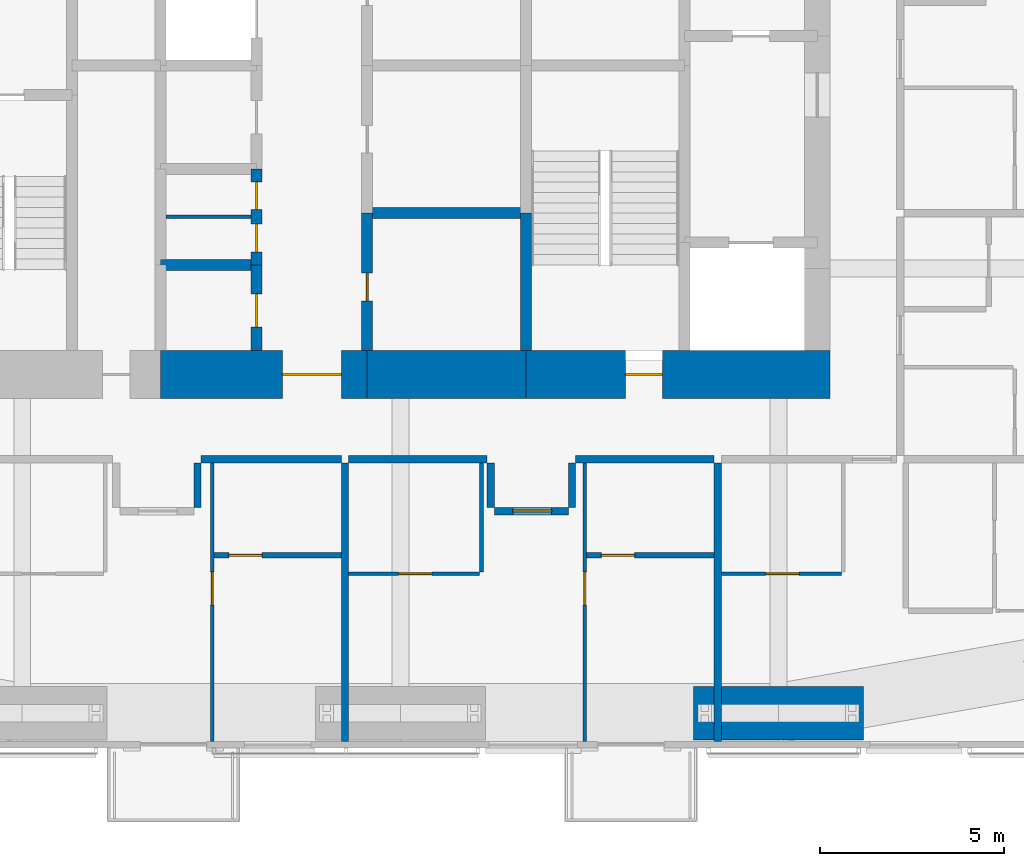
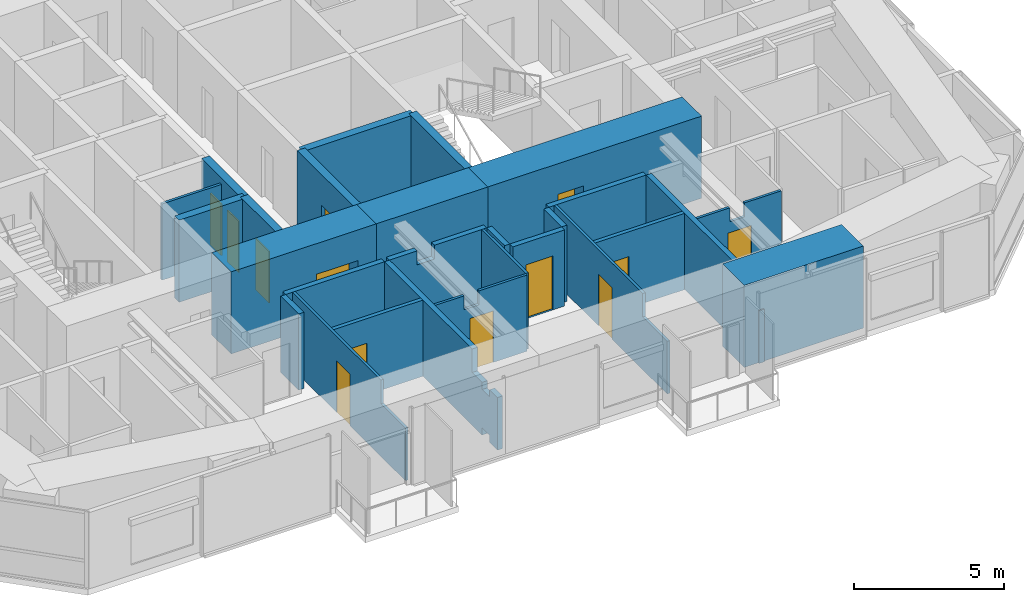
# One storey, part 16 of 22: 27 walls, 13 doors, 13 openings.
"""IFC4 building model written with IfcOpenShell, lengths in metres."""

from ifc_helpers import new_model, si_unit, direction, frame, frame_2d, origin, place, context, subcontext, project, spatial, polyline, rectangle, outline, extrude, material, layer, layer_set, constituent, constituent_set, type_object, element, fill, save


model = new_model("IFC4")

# Units and contexts
model_context = context("Model", 3, precision=1e-05, world=origin(), true_north=direction((0.0, 1.0)))
body_context = subcontext(model_context, "Body", "Model", "MODEL_VIEW")
ifc_project = project(units=[si_unit("LENGTHUNIT", "METRE"), si_unit("AREAUNIT", "SQUARE_METRE"), si_unit("VOLUMEUNIT", "CUBIC_METRE"), si_unit("PLANEANGLEUNIT", "RADIAN"), si_unit("MASSUNIT", "GRAM", prefix="KILO")], contexts=[model_context])

# Site, building, storey
site_placement = place(None, origin())
site = spatial("IfcSite", under=ifc_project, at=site_placement, CompositionType="ELEMENT")
building_placement = place(site_placement, origin())
building = spatial("IfcBuilding", under=site, at=building_placement, Name="Jalousie Tower", CompositionType="ELEMENT")
storey_placement = place(building_placement, frame((0.0, 0.0, 161.050048828125)))
storey = spatial("IfcBuildingStorey", under=building, at=storey_placement, Name="L43", CompositionType="ELEMENT", Elevation=161.050048828125)

# Wall, opening, door
ifc_material_1 = material(Name="Concrete block ASTM C90", Category="concrete")
ifc_constituent_1 = constituent(ifc_material_1, Name="Body")
ifc_material_2 = material(Name="Render")
ifc_constituent_2 = constituent(ifc_material_2, Name="Finish")
ifc_constituent_set_1 = constituent_set(constituents=[ifc_constituent_1, ifc_constituent_2])
wall_type_1 = type_object("IfcWallType", Name="BATHROOM WALL 150", PredefinedType="PLUMBINGWALL", material=ifc_constituent_set_1)
wall_1_placement = place(storey_placement, frame((27.449951171875, 5.22509765625, 0.0), z_axis=(0.0, 0.0, 1.0), x_axis=(1.0, 0.0, 0.0)))
wall_1 = element("IfcWall", 1, at=wall_1_placement, inside=storey, type_object=wall_type_1, Name="Bathroom Wall 150 L43", PredefinedType="PLUMBINGWALL", context=body_context, shape_type="SweptSolid", body=[
    extrude(rectangle(XDim=3.449951171875, YDim=0.14990234375, at=frame_2d((1.72509765625, 0.0))), origin(), (0.0, 0.0, 1.0), 3.10986328125),
])
opening_1_placement = place(wall_1_placement, frame((0.39990234375, 0.0, 0.0)))
opening_1 = element("IfcOpeningElement", 2, at=opening_1_placement, cuts=wall_1, Name="Opening D3", PredefinedType="OPENING", context=body_context, shape_type="SweptSolid", body=[
    extrude(rectangle(XDim=0.89990234375, YDim=2.10009765625, at=frame_2d((0.449951171875, 1.050048828125))), frame((0.0, 0.0849609375, 0.0), z_axis=(0.0, -1.0, 0.0), x_axis=(1.0, 0.0, 0.0)), (0.0, 0.0, 1.0), 0.169921875),
])
ifc_material_3 = material(Name="Timber door", Category="wood")
door_type_1 = type_object("IfcDoorType", Name="BATHROOM DOOR 900", OperationType="SINGLE_SWING_LEFT", PredefinedType="DOOR", material=ifc_material_3)
door_1_placement = place(opening_1_placement, origin())
door_1 = element("IfcDoor", 3, at=door_1_placement, inside=storey, type_object=door_type_1, Name="Apartment 4302 bedroom 1 bathroom door", OperationType="SINGLE_SWING_LEFT", OverallHeight=2.10009765625, OverallWidth=0.89990234375, PredefinedType="DOOR", context=body_context, shape_type="SweptSolid", body=[
    extrude(rectangle(XDim=0.89990234375, YDim=2.10009765625, at=frame_2d((0.449951171875, 1.050048828125))), frame((0.0, 0.02490234375, 0.0), z_axis=(0.0, -1.0, 0.0), x_axis=(1.0, 0.0, 0.0)), (0.0, 0.0, 1.0), 0.050048828125),
])
fill(opening_1, door_1)

wall_2_placement = place(storey_placement, frame((37.550048828125, 5.22509765625, 0.0), z_axis=(0.0, 0.0, 1.0), x_axis=(1.0, 0.0, 0.0)))
wall_2 = element("IfcWall", 4, at=wall_2_placement, inside=storey, type_object=wall_type_1, Name="Bathroom Wall 150 L43", PredefinedType="PLUMBINGWALL", context=body_context, shape_type="SweptSolid", body=[
    extrude(rectangle(XDim=3.449951171875, YDim=0.14990234375, at=frame_2d((1.72509765625, 0.0))), origin(), (0.0, 0.0, 1.0), 3.10986328125),
])
opening_2_placement = place(wall_2_placement, frame((0.39990234375, 0.0, 0.0)))
opening_2 = element("IfcOpeningElement", 5, at=opening_2_placement, cuts=wall_2, Name="Opening D3", PredefinedType="OPENING", context=body_context, shape_type="SweptSolid", body=[
    extrude(rectangle(XDim=0.89990234375, YDim=2.10009765625, at=frame_2d((0.449951171875, 1.050048828125))), frame((0.0, 0.0849609375, 0.0), z_axis=(0.0, -1.0, 0.0), x_axis=(1.0, 0.0, 0.0)), (0.0, 0.0, 1.0), 0.169921875),
])
door_2_placement = place(opening_2_placement, origin())
door_2 = element("IfcDoor", 6, at=door_2_placement, inside=storey, type_object=door_type_1, Name="Apartment 4303 bedroom 1 bathroom door", OperationType="SINGLE_SWING_LEFT", OverallHeight=2.10009765625, OverallWidth=0.89990234375, PredefinedType="DOOR", context=body_context, shape_type="SweptSolid", body=[
    extrude(rectangle(XDim=0.89990234375, YDim=2.10009765625, at=frame_2d((0.449951171875, 1.050048828125))), frame((0.0, 0.02490234375, 0.0), z_axis=(0.0, -1.0, 0.0), x_axis=(1.0, 0.0, 0.0)), (0.0, 0.0, 1.0), 0.050048828125),
])
fill(opening_2, door_2)

ifc_material_4 = material(Name="Concrete f'c 120 MPa", Category="concrete")
ifc_layer_1 = layer(ifc_material_4, 1.300048828125)
ifc_layer_set_1 = layer_set([ifc_layer_1], Name="Concrete f'c 120 MPa")
wall_type_2 = type_object("IfcWallType", Name="CORE WALL 1300", PredefinedType="SHEAR", material=ifc_layer_set_1)
wall_3_placement = place(storey_placement, frame((26.0, 10.125, 0.0), z_axis=(0.0, 0.0, 1.0), x_axis=(1.0, 0.0, 0.0)))
wall_3 = element("IfcWall", 7, at=wall_3_placement, inside=storey, type_object=wall_type_2, Name="Core wall SB L43", PredefinedType="SHEAR", context=body_context, shape_type="SweptSolid", body=[
    extrude(rectangle(XDim=5.60009765625, YDim=1.300048828125, at=frame_2d((2.800048828125, 0.0))), origin(), (0.0, 0.0, 1.0), 3.349853515625),
])
opening_3_placement = place(wall_3_placement, frame((3.300048828125, 0.0, 0.0)))
opening_3 = element("IfcOpeningElement", 8, at=opening_3_placement, cuts=wall_3, Name="Opening D15", PredefinedType="OPENING", context=body_context, shape_type="SweptSolid", body=[
    extrude(rectangle(XDim=1.60009765625, YDim=2.10009765625, at=frame_2d((0.800048828125, 1.050048828125))), frame((0.0, 0.659912109375, 0.0), z_axis=(0.0, -1.0, 0.0), x_axis=(1.0, 0.0, 0.0)), (0.0, 0.0, 1.0), 1.320068359375),
])
ifc_material_5 = material(Name="Steel fire door", Category="steel")
door_type_2 = type_object("IfcDoorType", Name="LIFT LOBBY DOOR 1600", OperationType="DOUBLE_DOOR_SINGLE_SWING", PredefinedType="DOOR", material=ifc_material_5)
door_3_placement = place(opening_3_placement, origin())
door_3 = element("IfcDoor", 9, at=door_3_placement, inside=storey, type_object=door_type_2, Name="Lift lobby south door", OperationType="DOUBLE_DOOR_SINGLE_SWING", OverallHeight=2.10009765625, OverallWidth=1.60009765625, PredefinedType="DOOR", context=body_context, shape_type="SweptSolid", body=[
    extrude(rectangle(XDim=1.60009765625, YDim=2.10009765625, at=frame_2d((0.800048828125, 1.050048828125))), frame((0.0, 0.02490234375, 0.0), z_axis=(0.0, -1.0, 0.0), x_axis=(1.0, 0.0, 0.0)), (0.0, 0.0, 1.0), 0.050048828125),
])
fill(opening_3, door_3)

# Wall
wall_4_placement = place(storey_placement, frame((31.60009765625, 10.125, 0.0), z_axis=(0.0, 0.0, 1.0), x_axis=(1.0, 0.0, 0.0)))
element("IfcWall", 10, at=wall_4_placement, inside=storey, type_object=wall_type_2, Name="Core wall SC L43", PredefinedType="SHEAR", context=body_context, shape_type="SweptSolid", body=[
    extrude(rectangle(XDim=4.2998046875, YDim=1.300048828125, at=frame_2d((2.14990234375, 0.0))), origin(), (0.0, 0.0, 1.0), 3.349853515625),
])

# Wall, opening, door
wall_5_placement = place(storey_placement, frame((35.89990234375, 10.125, 0.0), z_axis=(0.0, 0.0, 1.0), x_axis=(1.0, 0.0, 0.0)))
wall_5 = element("IfcWall", 11, at=wall_5_placement, inside=storey, type_object=wall_type_2, Name="Core wall SD L43", PredefinedType="SHEAR", context=body_context, shape_type="SweptSolid", body=[
    extrude(rectangle(XDim=8.25, YDim=1.300048828125, at=frame_2d((4.125, 0.0))), origin(), (0.0, 0.0, 1.0), 3.349853515625),
])
opening_4_placement = place(wall_5_placement, frame((2.699951171875, 0.0, 0.0)))
opening_4 = element("IfcOpeningElement", 12, at=opening_4_placement, cuts=wall_5, Name="Opening D10", PredefinedType="OPENING", context=body_context, shape_type="SweptSolid", body=[
    extrude(rectangle(XDim=1.0, YDim=2.10009765625, at=frame_2d((0.5, 1.050048828125))), frame((0.0, 0.659912109375, 0.0), z_axis=(0.0, -1.0, 0.0), x_axis=(1.0, 0.0, 0.0)), (0.0, 0.0, 1.0), 1.320068359375),
])
ifc_material_6 = material(Name="Steel fire door", Category="steel")
door_type_3 = type_object("IfcDoorType", Name="STAIR DOOR 1000", OperationType="SINGLE_SWING_LEFT", PredefinedType="DOOR", material=ifc_material_6)
door_4_placement = place(opening_4_placement, origin())
door_4 = element("IfcDoor", 13, at=door_4_placement, inside=storey, type_object=door_type_3, Name="Exit stair C door", OperationType="SINGLE_SWING_RIGHT", OverallHeight=2.10009765625, OverallWidth=1.0, PredefinedType="DOOR", context=body_context, shape_type="SweptSolid", body=[
    extrude(rectangle(XDim=1.0, YDim=2.10009765625, at=frame_2d((0.5, 1.050048828125))), frame((0.0, 0.02490234375, 0.0), z_axis=(0.0, -1.0, 0.0), x_axis=(1.0, 0.0, 0.0)), (0.0, 0.0, 1.0), 0.050048828125),
])
fill(opening_4, door_4)

ifc_material_7 = material(Name="Concrete f'c 120 MPa", Category="concrete")
ifc_layer_2 = layer(ifc_material_7, 0.300048828125)
ifc_layer_set_2 = layer_set([ifc_layer_2], Name="Concrete f'c 120 MPa")
wall_type_3 = type_object("IfcWallType", Name="CORE WALL 300", PredefinedType="SHEAR", material=ifc_layer_set_2)
wall_6_placement = place(storey_placement, frame((28.60009765625, 10.77490234375, 0.0), z_axis=(0.0, 0.0, 1.0), x_axis=(0.0, 1.0, 0.0)))
wall_6 = element("IfcWall", 14, at=wall_6_placement, inside=storey, type_object=wall_type_3, Name="Core wall X28.6A L43", PredefinedType="SHEAR", context=body_context, shape_type="SweptSolid", body=[
    extrude(rectangle(XDim=2.3251953125, YDim=0.300048828125, at=frame_2d((1.16259765625, 0.0))), origin(), (0.0, 0.0, 1.0), 3.349853515625),
])
opening_5_placement = place(wall_6_placement, frame((0.637451171875, 0.0, 0.0)))
opening_5 = element("IfcOpeningElement", 15, at=opening_5_placement, cuts=wall_6, Name="Opening D24", PredefinedType="OPENING", context=body_context, shape_type="SweptSolid", body=[
    extrude(rectangle(XDim=0.89990234375, YDim=2.10009765625, at=frame_2d((0.449951171875, 1.050048828125))), frame((0.0, 0.159912109375, 0.0), z_axis=(0.0, -1.0, 0.0), x_axis=(1.0, 0.0, 0.0)), (0.0, 0.0, 1.0), 0.320068359375),
])
ifc_material_8 = material(Name="Steel fire door", Category="steel")
door_type_4 = type_object("IfcDoorType", Name="CORE ROOM DOOR 900", OperationType="SINGLE_SWING_LEFT", PredefinedType="DOOR", material=ifc_material_8)
door_5_placement = place(opening_5_placement, origin())
door_5 = element("IfcDoor", 16, at=door_5_placement, inside=storey, type_object=door_type_4, Name="Linen store door", OperationType="SINGLE_SWING_RIGHT", OverallHeight=2.10009765625, OverallWidth=0.89990234375, PredefinedType="DOOR", context=body_context, shape_type="SweptSolid", body=[
    extrude(rectangle(XDim=0.89990234375, YDim=2.10009765625, at=frame_2d((0.449951171875, 1.050048828125))), frame((0.0, 0.02490234375, 0.0), z_axis=(0.0, -1.0, 0.0), x_axis=(1.0, 0.0, 0.0)), (0.0, 0.0, 1.0), 0.050048828125),
])
fill(opening_5, door_5)

# Wall, openings, doors
wall_7_placement = place(storey_placement, frame((28.60009765625, 13.10009765625, 0.0), z_axis=(0.0, 0.0, 1.0), x_axis=(0.0, 1.0, 0.0)))
wall_7 = element("IfcWall", 17, at=wall_7_placement, inside=storey, type_object=wall_type_3, Name="Core wall X28.6B L43", PredefinedType="SHEAR", context=body_context, shape_type="SweptSolid", body=[
    extrude(rectangle(XDim=2.599853515625, YDim=0.300048828125, at=frame_2d((1.2998046875, 0.0))), origin(), (0.0, 0.0, 1.0), 3.349853515625),
])
opening_6_placement = place(wall_7_placement, frame((0.35009765625, 0.0, 0.0)))
opening_6 = element("IfcOpeningElement", 18, at=opening_6_placement, cuts=wall_7, Name="Opening D27", PredefinedType="OPENING", context=body_context, shape_type="SweptSolid", body=[
    extrude(rectangle(XDim=0.75, YDim=2.10009765625, at=frame_2d((0.375, 1.050048828125))), frame((0.0, 0.159912109375, 0.0), z_axis=(0.0, -1.0, 0.0), x_axis=(1.0, 0.0, 0.0)), (0.0, 0.0, 1.0), 0.320068359375),
])
opening_7_placement = place(wall_7_placement, frame((1.5, 0.0, 0.0)))
opening_7 = element("IfcOpeningElement", 19, at=opening_7_placement, cuts=wall_7, Name="Opening D27", PredefinedType="OPENING", context=body_context, shape_type="SweptSolid", body=[
    extrude(rectangle(XDim=0.75, YDim=2.10009765625, at=frame_2d((0.375, 1.050048828125))), frame((0.0, 0.159912109375, 0.0), z_axis=(0.0, -1.0, 0.0), x_axis=(1.0, 0.0, 0.0)), (0.0, 0.0, 1.0), 0.320068359375),
])
ifc_material_9 = material(Name="Steel fire door", Category="steel")
door_type_5 = type_object("IfcDoorType", Name="CORE ROOM DOOR 750", OperationType="SINGLE_SWING_LEFT", PredefinedType="DOOR", material=ifc_material_9)
door_6_placement = place(opening_6_placement, origin())
door_6 = element("IfcDoor", 20, at=door_6_placement, inside=storey, type_object=door_type_5, Name="Housekeeping store door", OperationType="SINGLE_SWING_RIGHT", OverallHeight=2.10009765625, OverallWidth=0.75, PredefinedType="DOOR", context=body_context, shape_type="SweptSolid", body=[
    extrude(rectangle(XDim=0.75, YDim=2.10009765625, at=frame_2d((0.375, 1.050048828125))), frame((0.0, 0.02490234375, 0.0), z_axis=(0.0, -1.0, 0.0), x_axis=(1.0, 0.0, 0.0)), (0.0, 0.0, 1.0), 0.050048828125),
])
fill(opening_6, door_6)
door_7_placement = place(opening_7_placement, origin())
door_7 = element("IfcDoor", 21, at=door_7_placement, inside=storey, type_object=door_type_5, Name="Staff WC door", OperationType="SINGLE_SWING_LEFT", OverallHeight=2.10009765625, OverallWidth=0.75, PredefinedType="DOOR", context=body_context, shape_type="SweptSolid", body=[
    extrude(rectangle(XDim=0.75, YDim=2.10009765625, at=frame_2d((0.375, 1.050048828125))), frame((0.0, 0.02490234375, 0.0), z_axis=(0.0, -1.0, 0.0), x_axis=(1.0, 0.0, 0.0)), (0.0, 0.0, 1.0), 0.050048828125),
])
fill(opening_7, door_7)

# Wall, opening, door
wall_8_placement = place(storey_placement, frame((31.60009765625, 10.77490234375, 0.0), z_axis=(0.0, 0.0, 1.0), x_axis=(0.0, 1.0, 0.0)))
wall_8 = element("IfcWall", 22, at=wall_8_placement, inside=storey, type_object=wall_type_3, Name="Core wall X31.6A L43", PredefinedType="SHEAR", context=body_context, shape_type="SweptSolid", body=[
    extrude(rectangle(XDim=3.72509765625, YDim=0.300048828125, at=frame_2d((1.862548828125, 0.0))), origin(), (0.0, 0.0, 1.0), 3.349853515625),
])
opening_8_placement = place(wall_8_placement, frame((1.35009765625, 0.0, 0.0)))
opening_8 = element("IfcOpeningElement", 23, at=opening_8_placement, cuts=wall_8, Name="Opening D16", PredefinedType="OPENING", context=body_context, shape_type="SweptSolid", body=[
    extrude(rectangle(XDim=0.75, YDim=2.10009765625, at=frame_2d((0.375, 1.050048828125))), frame((0.0, 0.159912109375, 0.0), z_axis=(0.0, -1.0, 0.0), x_axis=(1.0, 0.0, 0.0)), (0.0, 0.0, 1.0), 0.320068359375),
])
ifc_material_10 = material(Name="Steel fire door", Category="steel")
door_type_6 = type_object("IfcDoorType", Name="RISER DOOR 750", OperationType="SINGLE_SWING_LEFT", PredefinedType="DOOR", material=ifc_material_10)
door_8_placement = place(opening_8_placement, frame((0.75, 0.0, 0.0), z_axis=(0.0, 0.0, 1.0), x_axis=(-1.0, 0.0, 0.0)))
door_8 = element("IfcDoor", 24, at=door_8_placement, inside=storey, type_object=door_type_6, Name="Refuse Room door", OperationType="SINGLE_SWING_RIGHT", OverallHeight=2.10009765625, OverallWidth=0.75, PredefinedType="DOOR", context=body_context, shape_type="SweptSolid", body=[
    extrude(rectangle(XDim=0.75, YDim=2.10009765625, at=frame_2d((0.375, 1.050048828125))), frame((0.0, 0.02490234375, 0.0), z_axis=(0.0, -1.0, 0.0), x_axis=(1.0, 0.0, 0.0)), (0.0, 0.0, 1.0), 0.050048828125),
])
fill(opening_8, door_8)

# Walls
wall_9_placement = place(storey_placement, frame((35.89990234375, 10.77490234375, 0.0), z_axis=(0.0, 0.0, 1.0), x_axis=(0.0, 1.0, 0.0)))
element("IfcWall", 25, at=wall_9_placement, inside=storey, type_object=wall_type_3, Name="Core wall X35.9A L43", PredefinedType="SHEAR", context=body_context, shape_type="SweptSolid", body=[
    extrude(rectangle(XDim=3.72509765625, YDim=0.300048828125, at=frame_2d((1.862548828125, 0.0))), origin(), (0.0, 0.0, 1.0), 3.349853515625),
])
wall_10_placement = place(storey_placement, frame((26.0, 13.10009765625, 0.0), z_axis=(0.0, 0.0, 1.0), x_axis=(1.0, 0.0, 0.0)))
element("IfcWall", 26, at=wall_10_placement, inside=storey, type_object=wall_type_3, Name="Core wall Y26-13.1 L43", PredefinedType="SHEAR", context=body_context, shape_type="SweptSolid", body=[
    extrude(rectangle(XDim=2.60009765625, YDim=0.300048828125, at=frame_2d((1.300048828125, 0.0))), origin(), (0.0, 0.0, 1.0), 3.349853515625),
])
wall_11_placement = place(storey_placement, frame((31.60009765625, 14.5, 0.0), z_axis=(0.0, 0.0, 1.0), x_axis=(1.0, 0.0, 0.0)))
element("IfcWall", 27, at=wall_11_placement, inside=storey, type_object=wall_type_3, Name="Core wall Y31.6-14.5 L43", PredefinedType="SHEAR", context=body_context, shape_type="SweptSolid", body=[
    extrude(rectangle(XDim=4.2998046875, YDim=0.300048828125, at=frame_2d((2.14990234375, 0.0))), origin(), (0.0, 0.0, 1.0), 3.349853515625),
])
ifc_material_11 = material(Name="Concrete block ASTM C90", Category="concrete")
ifc_constituent_3 = constituent(ifc_material_11, Name="Body")
ifc_material_12 = material(Name="Render")
ifc_constituent_4 = constituent(ifc_material_12, Name="Finish")
ifc_constituent_set_2 = constituent_set(constituents=[ifc_constituent_3, ifc_constituent_4])
wall_type_4 = type_object("IfcWallType", Name="CORRIDOR WALL 200", PredefinedType="PARTITIONING", material=ifc_constituent_set_2)
wall_12_placement = place(storey_placement, frame((31.10009765625, 7.824951171875, 0.0), z_axis=(0.0, 0.0, 1.0), x_axis=(1.0, 0.0, 0.0)))
element("IfcWall", 28, at=wall_12_placement, inside=storey, type_object=wall_type_4, Name="Corridor Wall 200 L43", PredefinedType="PARTITIONING", context=body_context, shape_type="SweptSolid", body=[
    extrude(outline(polyline([(0.0, 0.0), (3.75, 0.0), (3.75, 3.10986328125), (1.7373046875, 3.10986328125), (1.7373046875, 2.541015625), (1.0625, 2.541015625), (1.0625, 3.10986328125), (0.0, 3.10986328125), (0.0, 0.0)])), frame((0.0, 0.10009765625, 0.0), z_axis=(0.0, -1.0, 0.0), x_axis=(1.0, 0.0, 0.0)), (0.0, 0.0, 1.0), 0.199951171875),
])
wall_13_placement = place(storey_placement, frame((27.10009765625, 7.824951171875, 0.0), z_axis=(0.0, 0.0, 1.0), x_axis=(1.0, 0.0, 0.0)))
element("IfcWall", 29, at=wall_13_placement, inside=storey, type_object=wall_type_4, Name="Corridor Wall 200 L43", PredefinedType="PARTITIONING", context=body_context, shape_type="SweptSolid", body=[
    extrude(rectangle(XDim=3.7998046875, YDim=0.199951171875, at=frame_2d((1.89990234375, 0.0))), origin(), (0.0, 0.0, 1.0), 3.10986328125),
])
wall_14_placement = place(storey_placement, frame((27.0, 7.72509765625, 0.0), z_axis=(0.0, 0.0, 1.0), x_axis=(0.0, -1.0, 0.0)))
element("IfcWall", 30, at=wall_14_placement, inside=storey, type_object=wall_type_4, Name="Corridor Wall 200 L43", PredefinedType="PARTITIONING", context=body_context, shape_type="SweptSolid", body=[
    extrude(rectangle(XDim=1.2001953125, YDim=0.199951171875, at=frame_2d((0.60009765625, 0.0))), origin(), (0.0, 0.0, 1.0), 3.10986328125),
])
wall_15_placement = place(storey_placement, frame((37.25, 7.824951171875, 0.0), z_axis=(0.0, 0.0, 1.0), x_axis=(1.0, 0.0, 0.0)))
element("IfcWall", 31, at=wall_15_placement, inside=storey, type_object=wall_type_4, Name="Corridor Wall 200 L43", PredefinedType="PARTITIONING", context=body_context, shape_type="SweptSolid", body=[
    extrude(rectangle(XDim=3.75, YDim=0.199951171875, at=frame_2d((1.875, 0.0))), origin(), (0.0, 0.0, 1.0), 3.10986328125),
])

# Wall, opening, door
wall_16_placement = place(storey_placement, frame((35.050048828125, 6.425048828125, 0.0), z_axis=(0.0, 0.0, 1.0), x_axis=(1.0, 0.0, 0.0)))
wall_16 = element("IfcWall", 32, at=wall_16_placement, inside=storey, type_object=wall_type_4, Name="Corridor Wall 200 L43", PredefinedType="PARTITIONING", context=body_context, shape_type="SweptSolid", body=[
    extrude(rectangle(XDim=2.0, YDim=0.199951171875, at=frame_2d((1.0, 0.0))), origin(), (0.0, 0.0, 1.0), 3.10986328125),
])
opening_9_placement = place(wall_16_placement, frame((0.5, 0.0, 0.0)))
opening_9 = element("IfcOpeningElement", 33, at=opening_9_placement, cuts=wall_16, Name="Opening D1", PredefinedType="OPENING", context=body_context, shape_type="SweptSolid", body=[
    extrude(rectangle(XDim=1.050048828125, YDim=2.199951171875, at=frame_2d((0.52490234375, 1.10009765625))), frame((0.0, 0.10986328125, 0.0), z_axis=(0.0, -1.0, 0.0), x_axis=(1.0, 0.0, 0.0)), (0.0, 0.0, 1.0), 0.219970703125),
])
ifc_material_13 = material(Name="Timber fire door", Category="wood")
door_type_7 = type_object("IfcDoorType", Name="APARTMENT ENTRANCE DOOR 1050", OperationType="SINGLE_SWING_LEFT", PredefinedType="DOOR", material=ifc_material_13)
door_9_placement = place(opening_9_placement, frame((1.050048828125, 0.0, 0.0), z_axis=(0.0, 0.0, 1.0), x_axis=(-1.0, 0.0, 0.0)))
door_9 = element("IfcDoor", 34, at=door_9_placement, inside=storey, type_object=door_type_7, Name="Apartment 4303 entrance", OperationType="SINGLE_SWING_RIGHT", OverallHeight=2.199951171875, OverallWidth=1.050048828125, PredefinedType="DOOR", context=body_context, shape_type="SweptSolid", body=[
    extrude(rectangle(XDim=1.050048828125, YDim=2.199951171875, at=frame_2d((0.52490234375, 1.10009765625))), frame((0.0, 0.02490234375, 0.0), z_axis=(0.0, -1.0, 0.0), x_axis=(1.0, 0.0, 0.0)), (0.0, 0.0, 1.0), 0.050048828125),
])
fill(opening_9, door_9)

# Walls
for number, where, z_axis, x_axis, name in (
    (35, (34.949951171875, 7.72509765625, 0.0), (0.0, 0.0, 1.0), (0.0, -1.0, 0.0), "Corridor Wall 200 L43"),
    (36, (37.14990234375, 7.72509765625, 0.0), (0.0, 0.0, 1.0), (0.0, -1.0, 0.0), "Corridor Wall 200 L43"),
):
    element("IfcWall", number, at=place(storey_placement, frame(where, z_axis=z_axis, x_axis=x_axis)), inside=storey, type_object=wall_type_4, Name=name, PredefinedType="PARTITIONING", context=body_context, shape_type="SweptSolid", body=[
        extrude(rectangle(XDim=1.2001953125, YDim=0.199951171875, at=frame_2d((0.60009765625, 0.0))), origin(), (0.0, 0.0, 1.0), 3.10986328125),
    ])

# Wall, opening, door
ifc_material_14 = material(Name="Gypsum board", Category="gypsum")
ifc_constituent_5 = constituent(ifc_material_14, Name="Body")
ifc_material_15 = material(Name="Light-gauge steel studs ASTM A653 SS Grade 33", Category="steel")
ifc_constituent_6 = constituent(ifc_material_15, Name="Framing")
ifc_constituent_set_3 = constituent_set(constituents=[ifc_constituent_5, ifc_constituent_6])
wall_type_5 = type_object("IfcWallType", Name="PARTITION 100", PredefinedType="PARTITIONING", material=ifc_constituent_set_3)
wall_17_placement = place(storey_placement, frame((27.39990234375, 0.175048828125, 0.0), z_axis=(0.0, 0.0, 1.0), x_axis=(0.0, 1.0, 0.0)))
wall_17 = element("IfcWall", 37, at=wall_17_placement, inside=storey, type_object=wall_type_5, Name="Partition 100 L43", PredefinedType="PARTITIONING", context=body_context, shape_type="SweptSolid", body=[
    extrude(outline(polyline([(0.0, 0.0), (7.550048828125, 0.0), (7.550048828125, 3.10986328125), (1.635009765625, 3.10986328125), (1.635009765625, 2.14990234375), (0.0, 2.14990234375), (0.0, 3.10986328125), (0.0, 0.0)])), frame((0.0, 0.050048828125, 0.0), z_axis=(0.0, -1.0, 0.0), x_axis=(1.0, 0.0, 0.0)), (0.0, 0.0, 1.0), 0.10009765625),
])
opening_10_placement = place(wall_17_placement, frame((3.699951171875, 0.0, 0.0)))
opening_10 = element("IfcOpeningElement", 38, at=opening_10_placement, cuts=wall_17, Name="Opening D2", PredefinedType="OPENING", context=body_context, shape_type="SweptSolid", body=[
    extrude(rectangle(XDim=0.89990234375, YDim=2.10009765625, at=frame_2d((0.449951171875, 1.050048828125))), frame((0.0, 0.06005859375, 0.0), z_axis=(0.0, -1.0, 0.0), x_axis=(1.0, 0.0, 0.0)), (0.0, 0.0, 1.0), 0.1201171875),
])
ifc_material_16 = material(Name="Timber door", Category="wood")
door_type_8 = type_object("IfcDoorType", Name="BEDROOM DOOR 900", OperationType="SINGLE_SWING_LEFT", PredefinedType="DOOR", material=ifc_material_16)
door_10_placement = place(opening_10_placement, frame((0.89990234375, 0.0, 0.0), z_axis=(0.0, 0.0, 1.0), x_axis=(-1.0, 0.0, 0.0)))
door_10 = element("IfcDoor", 39, at=door_10_placement, inside=storey, type_object=door_type_8, Name="Apartment 4302 bedroom 1 door", OperationType="SINGLE_SWING_LEFT", OverallHeight=2.10009765625, OverallWidth=0.89990234375, PredefinedType="DOOR", context=body_context, shape_type="SweptSolid", body=[
    extrude(rectangle(XDim=0.89990234375, YDim=2.10009765625, at=frame_2d((0.449951171875, 1.050048828125))), frame((0.0, 0.02490234375, 0.0), z_axis=(0.0, -1.0, 0.0), x_axis=(1.0, 0.0, 0.0)), (0.0, 0.0, 1.0), 0.050048828125),
])
fill(opening_10, door_10)

wall_18_placement = place(storey_placement, frame((37.5, 0.175048828125, 0.0), z_axis=(0.0, 0.0, 1.0), x_axis=(0.0, 1.0, 0.0)))
wall_18 = element("IfcWall", 40, at=wall_18_placement, inside=storey, type_object=wall_type_5, Name="Partition 100 L43", PredefinedType="PARTITIONING", context=body_context, shape_type="SweptSolid", body=[
    extrude(outline(polyline([(0.0, 0.0), (7.550048828125, 0.0), (7.550048828125, 3.10986328125), (1.635009765625, 3.10986328125), (1.635009765625, 2.14990234375), (0.0, 2.14990234375), (0.0, 3.10986328125), (0.0, 0.0)])), frame((0.0, 0.050048828125, 0.0), z_axis=(0.0, -1.0, 0.0), x_axis=(1.0, 0.0, 0.0)), (0.0, 0.0, 1.0), 0.10009765625),
])
opening_11_placement = place(wall_18_placement, frame((3.699951171875, 0.0, 0.0)))
opening_11 = element("IfcOpeningElement", 41, at=opening_11_placement, cuts=wall_18, Name="Opening D2", PredefinedType="OPENING", context=body_context, shape_type="SweptSolid", body=[
    extrude(rectangle(XDim=0.89990234375, YDim=2.10009765625, at=frame_2d((0.449951171875, 1.050048828125))), frame((0.0, 0.06005859375, 0.0), z_axis=(0.0, -1.0, 0.0), x_axis=(1.0, 0.0, 0.0)), (0.0, 0.0, 1.0), 0.1201171875),
])
door_11_placement = place(opening_11_placement, frame((0.89990234375, 0.0, 0.0), z_axis=(0.0, 0.0, 1.0), x_axis=(-1.0, 0.0, 0.0)))
door_11 = element("IfcDoor", 42, at=door_11_placement, inside=storey, type_object=door_type_8, Name="Apartment 4303 bedroom 1 door", OperationType="SINGLE_SWING_LEFT", OverallHeight=2.10009765625, OverallWidth=0.89990234375, PredefinedType="DOOR", context=body_context, shape_type="SweptSolid", body=[
    extrude(rectangle(XDim=0.89990234375, YDim=2.10009765625, at=frame_2d((0.449951171875, 1.050048828125))), frame((0.0, 0.02490234375, 0.0), z_axis=(0.0, -1.0, 0.0), x_axis=(1.0, 0.0, 0.0)), (0.0, 0.0, 1.0), 0.050048828125),
])
fill(opening_11, door_11)

wall_19_placement = place(storey_placement, frame((31.10009765625, 4.72509765625, 0.0), z_axis=(0.0, 0.0, 1.0), x_axis=(1.0, 0.0, 0.0)))
wall_19 = element("IfcWall", 43, at=wall_19_placement, inside=storey, type_object=wall_type_5, Name="Partition 100 L43", PredefinedType="PARTITIONING", context=body_context, shape_type="SweptSolid", body=[
    extrude(outline(polyline([(0.0, 0.0), (3.5498046875, 0.0), (3.550048828125, 3.10986328125), (1.6875, 3.10986328125), (1.6875, 2.541015625), (1.112548828125, 2.541015625), (1.112548828125, 3.10986328125), (0.0, 3.10986328125), (0.0, 0.0)])), frame((0.0, 0.050048828125, 0.0), z_axis=(0.0, -1.0, 0.0), x_axis=(1.0, 0.0, 0.0)), (0.0, 0.0, 1.0), 0.10009765625),
])
opening_12_placement = place(wall_19_placement, frame((1.35009765625, 0.0, 0.0)))
opening_12 = element("IfcOpeningElement", 44, at=opening_12_placement, cuts=wall_19, Name="Opening D7", PredefinedType="OPENING", context=body_context, shape_type="SweptSolid", body=[
    extrude(rectangle(XDim=0.89990234375, YDim=2.10009765625, at=frame_2d((0.449951171875, 1.050048828125))), frame((0.0, 0.06005859375, 0.0), z_axis=(0.0, -1.0, 0.0), x_axis=(1.0, 0.0, 0.0)), (0.0, 0.0, 1.0), 0.1201171875),
])
ifc_material_17 = material(Name="Timber door", Category="wood")
door_type_9 = type_object("IfcDoorType", Name="INTERNAL DOOR 900", OperationType="SINGLE_SWING_LEFT", PredefinedType="DOOR", material=ifc_material_17)
door_12_placement = place(opening_12_placement, frame((0.89990234375, 0.0, 0.0), z_axis=(0.0, 0.0, 1.0), x_axis=(-1.0, 0.0, 0.0)))
door_12 = element("IfcDoor", 45, at=door_12_placement, inside=storey, type_object=door_type_9, Name="Apartment 4303 kitchen door", OperationType="SINGLE_SWING_RIGHT", OverallHeight=2.10009765625, OverallWidth=0.89990234375, PredefinedType="DOOR", context=body_context, shape_type="SweptSolid", body=[
    extrude(rectangle(XDim=0.89990234375, YDim=2.10009765625, at=frame_2d((0.449951171875, 1.050048828125))), frame((0.0, 0.02490234375, 0.0), z_axis=(0.0, -1.0, 0.0), x_axis=(1.0, 0.0, 0.0)), (0.0, 0.0, 1.0), 0.050048828125),
])
fill(opening_12, door_12)

# Wall
wall_20_placement = place(storey_placement, frame((34.699951171875, 4.77490234375, 0.0), z_axis=(0.0, 0.0, 1.0), x_axis=(0.0, 1.0, 0.0)))
element("IfcWall", 46, at=wall_20_placement, inside=storey, type_object=wall_type_5, Name="Partition 100 L43", PredefinedType="PARTITIONING", context=body_context, shape_type="SweptSolid", body=[
    extrude(rectangle(XDim=2.9501953125, YDim=0.10009765625, at=frame_2d((1.47509765625, 0.0))), origin(), (0.0, 0.0, 1.0), 3.10986328125),
])

# Wall, opening, door
wall_21_placement = place(storey_placement, frame((41.199951171875, 4.72509765625, 0.0), z_axis=(0.0, 0.0, 1.0), x_axis=(1.0, 0.0, 0.0)))
wall_21 = element("IfcWall", 47, at=wall_21_placement, inside=storey, type_object=wall_type_5, Name="Partition 100 L43", PredefinedType="PARTITIONING", context=body_context, shape_type="SweptSolid", body=[
    extrude(outline(polyline([(0.0, 0.0), (3.25, 0.0), (3.25, 3.10986328125), (1.83740234375, 3.10986328125), (1.83740234375, 2.541015625), (1.2626953125, 2.541015625), (1.2626953125, 3.10986328125), (0.0, 3.10986328125), (0.0, 0.0)])), frame((0.0, 0.050048828125, 0.0), z_axis=(0.0, -1.0, 0.0), x_axis=(1.0, 0.0, 0.0)), (0.0, 0.0, 1.0), 0.10009765625),
])
opening_13_placement = place(wall_21_placement, frame((1.199951171875, 0.0, 0.0)))
opening_13 = element("IfcOpeningElement", 48, at=opening_13_placement, cuts=wall_21, Name="Opening D7", PredefinedType="OPENING", context=body_context, shape_type="SweptSolid", body=[
    extrude(rectangle(XDim=0.89990234375, YDim=2.10009765625, at=frame_2d((0.449951171875, 1.050048828125))), frame((0.0, 0.06005859375, 0.0), z_axis=(0.0, -1.0, 0.0), x_axis=(1.0, 0.0, 0.0)), (0.0, 0.0, 1.0), 0.1201171875),
])
door_13_placement = place(opening_13_placement, frame((0.89990234375, 0.0, 0.0), z_axis=(0.0, 0.0, 1.0), x_axis=(-1.0, 0.0, 0.0)))
door_13 = element("IfcDoor", 49, at=door_13_placement, inside=storey, type_object=door_type_9, Name="Apartment 4304 kitchen door", OperationType="SINGLE_SWING_RIGHT", OverallHeight=2.10009765625, OverallWidth=0.89990234375, PredefinedType="DOOR", context=body_context, shape_type="SweptSolid", body=[
    extrude(rectangle(XDim=0.89990234375, YDim=2.10009765625, at=frame_2d((0.449951171875, 1.050048828125))), frame((0.0, 0.02490234375, 0.0), z_axis=(0.0, -1.0, 0.0), x_axis=(1.0, 0.0, 0.0)), (0.0, 0.0, 1.0), 0.050048828125),
])
fill(opening_13, door_13)

# Walls
wall_22_placement = place(storey_placement, frame((26.14990234375, 14.39990234375, 0.0), z_axis=(0.0, 0.0, 1.0), x_axis=(1.0, 0.0, 0.0)))
element("IfcWall", 50, at=wall_22_placement, inside=storey, type_object=wall_type_5, Name="Partition 100 L43", PredefinedType="PARTITIONING", context=body_context, shape_type="SweptSolid", body=[
    extrude(rectangle(XDim=2.300048828125, YDim=0.10009765625, at=frame_2d((1.14990234375, 0.0))), origin(), (0.0, 0.0, 1.0), 3.10986328125),
])
ifc_material_18 = material(Name="Concrete block ASTM C90", Category="concrete")
ifc_constituent_7 = constituent(ifc_material_18, Name="Body")
ifc_material_19 = material(Name="Render")
ifc_constituent_8 = constituent(ifc_material_19, Name="Finish")
ifc_constituent_set_4 = constituent_set(constituents=[ifc_constituent_7, ifc_constituent_8])
wall_type_6 = type_object("IfcWallType", Name="PARTY WALL 200", PredefinedType="PARTITIONING", material=ifc_constituent_set_4)
wall_23_placement = place(storey_placement, frame((31.0, 0.175048828125, 0.0), z_axis=(0.0, 0.0, 1.0), x_axis=(0.0, 1.0, 0.0)))
element("IfcWall", 51, at=wall_23_placement, inside=storey, type_object=wall_type_6, Name="Party Wall 200 L43", PredefinedType="PARTITIONING", context=body_context, shape_type="SweptSolid", body=[
    extrude(outline(polyline([(0.52880859375, 2.14990234375), (0.0, 2.14990234375), (0.0, 0.0), (0.52880859375, 0.0), (0.52880859375, 0.2900390625), (1.021240234375, 0.2900390625), (1.021240234375, 0.0), (7.550048828125, 0.0), (7.550048828125, 3.10986328125), (1.68505859375, 3.10986328125), (1.68505859375, 2.14990234375), (1.021240234375, 2.14990234375), (1.021240234375, 1.85986328125), (0.52880859375, 1.85986328125), (0.52880859375, 2.14990234375)])), frame((0.0, 0.10009765625, 0.0), z_axis=(0.0, -1.0, 0.0), x_axis=(1.0, 0.0, 0.0)), (0.0, 0.0, 1.0), 0.199951171875),
])
wall_24_placement = place(storey_placement, frame((41.10009765625, 0.175048828125, 0.0), z_axis=(0.0, 0.0, 1.0), x_axis=(0.0, 1.0, 0.0)))
element("IfcWall", 52, at=wall_24_placement, inside=storey, type_object=wall_type_6, Name="Party Wall 200 L43", PredefinedType="PARTITIONING", context=body_context, shape_type="SweptSolid", body=[
    extrude(outline(polyline([(0.52880859375, 2.14990234375), (0.0, 2.14990234375), (0.0, 0.0), (0.52880859375, 0.0), (0.52880859375, 0.16455078125), (1.021240234375, 0.16455078125), (1.021240234375, 0.0), (7.550048828125, 0.0), (7.550048828125, 3.10986328125), (1.68505859375, 3.10986328125), (1.68505859375, 2.14990234375), (1.021240234375, 2.14990234375), (1.021240234375, 1.9853515625), (0.52880859375, 1.9853515625), (0.52880859375, 2.14990234375)])), frame((0.0, 0.10009765625, 0.0), z_axis=(0.0, -1.0, 0.0), x_axis=(1.0, 0.0, 0.0)), (0.0, 0.0, 1.0), 0.199951171875),
])
ifc_material_20 = material(Name="Concrete f'c 120 MPa", Category="concrete")
ifc_layer_3 = layer(ifc_material_20, 1.449951171875)
ifc_layer_set_3 = layer_set([ifc_layer_3], Name="Concrete f'c 120 MPa")
wall_type_7 = type_object("IfcWallType", Name="RC WALL PIER 1450", PredefinedType="SHEAR", material=ifc_layer_set_3)
wall_25_placement = place(storey_placement, frame((40.449951171875, 0.949951171875, 0.0), z_axis=(0.0, 0.0, 1.0), x_axis=(1.0, 0.0, 0.0)))
element("IfcWall", 53, at=wall_25_placement, inside=storey, type_object=wall_type_7, Name="Wall pier 04 L43", PredefinedType="SHEAR", context=body_context, shape_type="SweptSolid", body=[
    extrude(rectangle(XDim=4.60009765625, YDim=1.449951171875, at=frame_2d((2.300048828125, 0.0))), origin(), (0.0, 0.0, 1.0), 3.349853515625),
])

save(model, "model.ifc")
